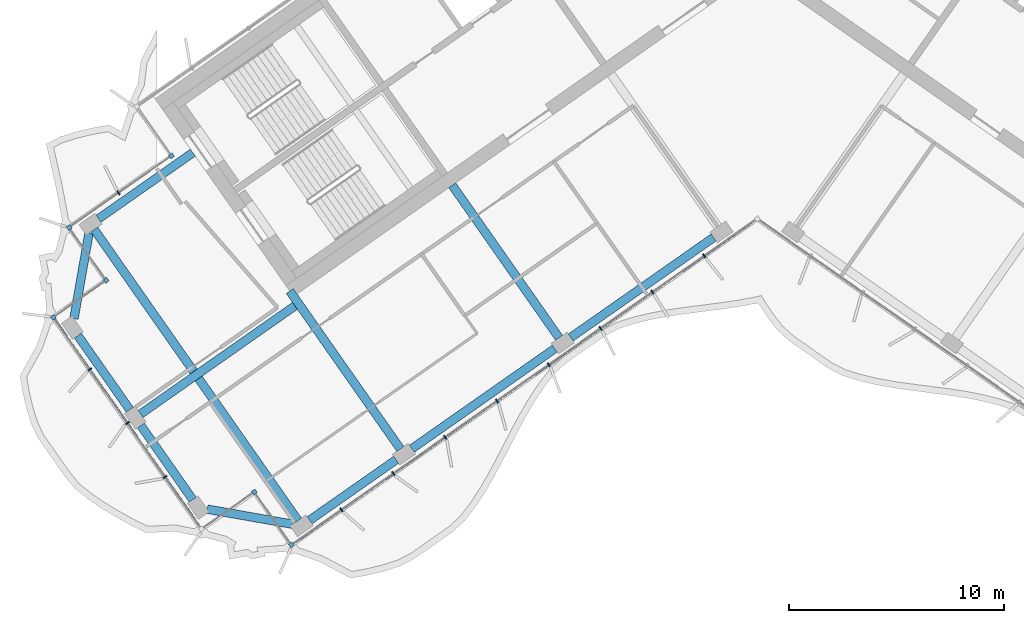
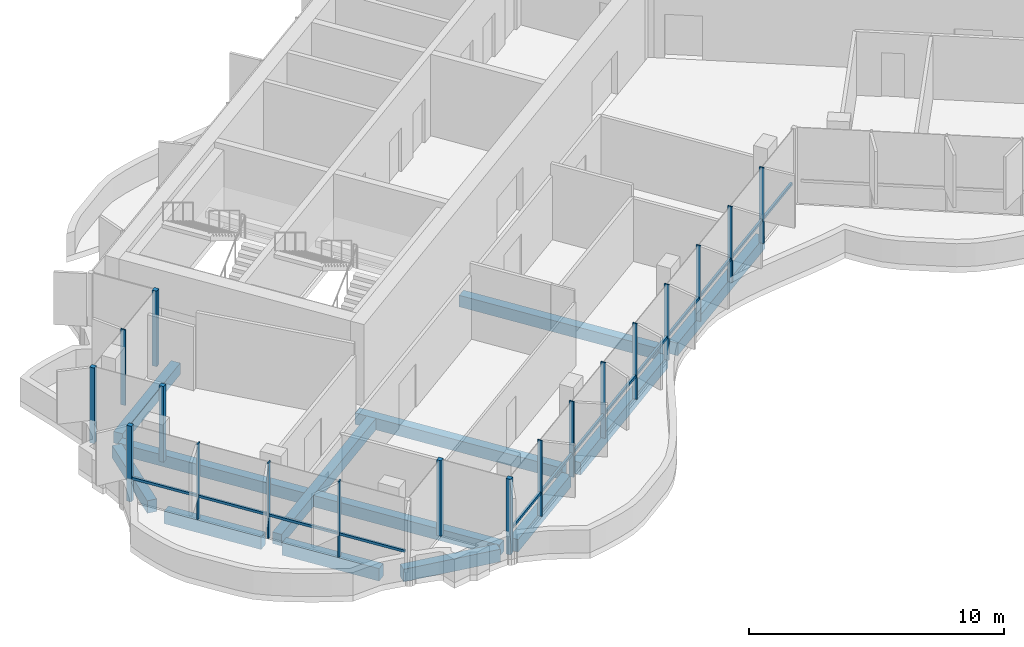
# One storey, part 2 of 18: 20 members, 12 beams, 2 elements without a shape of their own.
"""IFC4 building model written with IfcOpenShell, lengths in metres."""

from ifc_helpers import new_model, si_unit, direction, frame, origin, origin_2d, place, context, subcontext, project, spatial, rectangle, extrude, material, material_profile, profile_set, type_object, element, aggregate, save


model = new_model("IFC4")

# Units and contexts
model_context = context("Model", 3, precision=1e-05, world=origin(), true_north=direction((0.0, 1.0)))
body_context = subcontext(model_context, "Body", "Model", "MODEL_VIEW")
ifc_project = project(units=[si_unit("LENGTHUNIT", "METRE"), si_unit("AREAUNIT", "SQUARE_METRE"), si_unit("VOLUMEUNIT", "CUBIC_METRE"), si_unit("PLANEANGLEUNIT", "RADIAN"), si_unit("MASSUNIT", "GRAM", prefix="KILO")], contexts=[model_context])

# Site, building, storey
site_placement = place(None, origin())
site = spatial("IfcSite", under=ifc_project, at=site_placement, CompositionType="ELEMENT")
building_placement = place(site_placement, origin())
building = spatial("IfcBuilding", under=site, at=building_placement, Name="Tel Ilan Convention Tower", CompositionType="ELEMENT")
storey_placement = place(building_placement, frame((0.0, 0.0, 272.199951171875)))
storey = spatial("IfcBuildingStorey", under=building, at=storey_placement, Name="L64", CompositionType="ELEMENT", Elevation=272.199951171875)

# Beams
ifc_material_1 = material(Name="Concrete C40/50", Category="concrete")
ifc_material_profile_1 = material_profile(ifc_material_1, rectangle(XDim=0.39990234375, YDim=0.550048828125, at=origin_2d()), Name="RC 400x550")
ifc_profile_set_1 = profile_set([ifc_material_profile_1], Name="Concrete C40/50")
beam_type_1 = type_object("IfcBeamType", Name="Beam RC 400x550 Concrete C40/50", PredefinedType="BEAM", material=ifc_profile_set_1)
beam_1_placement = place(storey_placement, frame((-30.6005859375, -12.6982421875, -0.554931640625), z_axis=(0.819146154531, 0.573584847705, 0.0), x_axis=(-0.573584847705, 0.819146154531, 0.0)))
element("IfcBeam", 1, at=beam_1_placement, inside=storey, type_object=beam_type_1, Name="L64 beam W-W-BC-core", PredefinedType="BEAM", context=body_context, shape_type="SweptSolid", body=[
    extrude(rectangle(XDim=0.39990234375, YDim=0.550048828125, at=origin_2d()), origin(), (0.0, 0.0, 1.0), 5.349853515625),
])
beam_2_placement = place(storey_placement, frame((-9.209716796875, -18.229248046875, -0.554931640625), z_axis=(-0.573574099654, 0.819153680457, 0.0), x_axis=(-0.819153680457, -0.573574099654, 0.0)))
element("IfcBeam", 2, at=beam_2_placement, inside=storey, type_object=beam_type_1, Name="L64 beam W-W-F2-core", PredefinedType="BEAM", context=body_context, shape_type="SweptSolid", body=[
    extrude(rectangle(XDim=0.39990234375, YDim=0.550048828125, at=origin_2d()), origin(), (0.0, 0.0, 1.0), 8.64990234375),
])
beam_3_placement = place(storey_placement, frame((-16.58203125, -23.391357421875, -0.554931640625), z_axis=(-0.573584999642, 0.819146048141, 0.0), x_axis=(-0.819146048141, -0.573584999642, 0.0)))
element("IfcBeam", 3, at=beam_3_placement, inside=storey, type_object=beam_type_1, Name="L64 beam W-W-F3-core", PredefinedType="BEAM", context=body_context, shape_type="SweptSolid", body=[
    extrude(rectangle(XDim=0.39990234375, YDim=0.550048828125, at=origin_2d()), origin(), (0.0, 0.0, 1.0), 8.949951171875),
])
beam_4_placement = place(storey_placement, frame((-21.477783203125, -16.748046875, -0.554931640625), z_axis=(-0.819157197737, -0.573569076395, 0.0), x_axis=(0.573569076395, -0.819157197737, 0.0)))
element("IfcBeam", 4, at=beam_4_placement, inside=storey, type_object=beam_type_1, Name="L64 beam W-core-end", PredefinedType="BEAM", context=body_context, shape_type="SweptSolid", body=[
    extrude(rectangle(XDim=0.39990234375, YDim=0.550048828125, at=origin_2d()), origin(), (0.0, 0.0, 1.0), 8.75),
])
beam_5_placement = place(storey_placement, frame((-21.333251953125, -26.718017578125, -0.554931640625), z_axis=(-0.573574554643, 0.819153361872, 0.0), x_axis=(-0.819153361872, -0.573574554643, 0.0)))
element("IfcBeam", 5, at=beam_5_placement, inside=storey, type_object=beam_type_1, Name="L64 beam W-W-FC-W-BC", PredefinedType="BEAM", context=body_context, shape_type="SweptSolid", body=[
    extrude(rectangle(XDim=0.39990234375, YDim=0.550048828125, at=origin_2d()), origin(), (0.0, 0.0, 1.0), 16.499755859375),
])
ifc_material_2 = material(Name="Concrete C40/50", Category="concrete")
ifc_material_profile_2 = material_profile(ifc_material_2, rectangle(XDim=0.39990234375, YDim=0.60009765625, at=origin_2d()), Name="RC 400x600")
ifc_profile_set_2 = profile_set([ifc_material_profile_2], Name="Concrete C40/50")
beam_type_2 = type_object("IfcBeamType", Name="Beam RC 400x600 Concrete C40/50", PredefinedType="BEAM", material=ifc_profile_set_2)
beam_6_placement = place(storey_placement, frame((-2.033935546875, -13.57080078125, -0.579833984375), z_axis=(-0.81914553362, -0.573585734437, 0.0), x_axis=(0.573585734437, -0.81914553362, 0.0)))
element("IfcBeam", 6, at=beam_6_placement, inside=storey, type_object=beam_type_2, Name="L64 beam W-W-F1-W-F2", PredefinedType="BEAM", context=body_context, shape_type="SweptSolid", body=[
    extrude(rectangle(XDim=0.39990234375, YDim=0.60009765625, at=origin_2d()), origin(), (0.0, 0.0, 1.0), 8.099853515625),
])
beam_7_placement = place(storey_placement, frame((-9.40625, -18.73291015625, -0.579833984375), z_axis=(-0.819155449703, -0.573571572885, 0.0), x_axis=(0.573571572885, -0.819155449703, 0.0)))
element("IfcBeam", 7, at=beam_7_placement, inside=storey, type_object=beam_type_2, Name="L64 beam W-W-F2-W-F3", PredefinedType="BEAM", context=body_context, shape_type="SweptSolid", body=[
    extrude(rectangle(XDim=0.39990234375, YDim=0.60009765625, at=origin_2d()), origin(), (0.0, 0.0, 1.0), 8.10009765625),
])
beam_8_placement = place(storey_placement, frame((-16.778564453125, -23.895263671875, -0.579833984375), z_axis=(-0.819154669329, -0.573572687386, 0.0), x_axis=(0.573572687386, -0.819154669329, 0.0)))
element("IfcBeam", 8, at=beam_8_placement, inside=storey, type_object=beam_type_2, Name="L64 beam W-W-F3-W-FC", PredefinedType="BEAM", context=body_context, shape_type="SweptSolid", body=[
    extrude(rectangle(XDim=0.39990234375, YDim=0.60009765625, at=origin_2d()), origin(), (0.0, 0.0, 1.0), 4.900146484375),
])
beam_9_placement = place(storey_placement, frame((-21.578857421875, -26.89013671875, -0.579833984375), z_axis=(-0.984804894423, 0.173664388751, 0.0), x_axis=(-0.173664388751, -0.984804894423, 0.0)))
element("IfcBeam", 9, at=beam_9_placement, inside=storey, type_object=beam_type_2, Name="L64 beam W-W-FC-W-E1", PredefinedType="BEAM", context=body_context, shape_type="SweptSolid", body=[
    extrude(rectangle(XDim=0.39990234375, YDim=0.60009765625, at=origin_2d()), origin(), (0.0, 0.0, 1.0), 4.030517578125),
])
for number, where, z_axis, x_axis, name in (
    (10, (-26.22412109375, -25.748046875, -0.579833984375), (-0.573563773994, 0.819160910421, 0.0), (-0.819160910421, -0.573563773994, 0.0), "L64 beam W-W-E1-W-E2"),
    (11, (-29.1494140625, -21.5703125, -0.579833984375), (-0.573563773994, 0.819160910421, 0.0), (-0.819160910421, -0.573563773994, 0.0), "L64 beam W-W-E2-W-E3"),
):
    element("IfcBeam", number, at=place(storey_placement, frame(where, z_axis=z_axis, x_axis=x_axis)), inside=storey, type_object=beam_type_2, Name=name, PredefinedType="BEAM", context=body_context, shape_type="SweptSolid", body=[
        extrude(rectangle(XDim=0.39990234375, YDim=0.60009765625, at=origin_2d()), origin(), (0.0, 0.0, 1.0), 4.199951171875),
    ])
beam_10_placement = place(storey_placement, frame((-31.742919921875, -17.343505859375, -0.579833984375), z_axis=(0.173664388751, 0.984804894423, 0.0), x_axis=(-0.984804894423, 0.173664388751, 0.0)))
element("IfcBeam", 12, at=beam_10_placement, inside=storey, type_object=beam_type_2, Name="L64 beam W-W-E3-W-BC", PredefinedType="BEAM", context=body_context, shape_type="SweptSolid", body=[
    extrude(rectangle(XDim=0.39990234375, YDim=0.60009765625, at=origin_2d()), origin(), (0.0, 0.0, 1.0), 4.030517578125),
])

# Curtain wall, member
ifc_material_3 = material(Name="Aluminium, bronze anodised", Category="aluminium")
curtain_wall_type_1 = type_object("IfcCurtainWallType", Name="CW2 STICK CURTAIN WALL, SPANDREL PANELS", PredefinedType="NOTDEFINED", material=ifc_material_3)
curtain_wall_1_placement = place(storey_placement, origin())
curtain_wall_1 = element("IfcCurtainWall", 13, at=curtain_wall_1_placement, inside=storey, type_object=curtain_wall_type_1, Name="Curtain wall CW2-49.03", PredefinedType="NOTDEFINED")
ifc_material_4 = material(Name="Aluminium, bronze anodised", Category="aluminium")
ifc_material_profile_3 = material_profile(ifc_material_4, rectangle(XDim=0.199951171875, YDim=0.199951171875, at=origin_2d()), Name="CW CORNER MULLION 200x200")
ifc_profile_set_3 = profile_set([ifc_material_profile_3], Name="Aluminium, bronze anodised")
member_type_1 = type_object("IfcMemberType", Name="CW CORNER MULLION 200x200", PredefinedType="MULLION", material=ifc_profile_set_3)
member_1_placement = place(storey_placement, frame((-27.213623046875, -9.77734375, 0.0), z_axis=(0.0, 0.0, 1.0), x_axis=(0.573576436351, -0.819152044289, 0.0)))
member_1 = element("IfcMember", 14, at=member_1_placement, type_object=member_type_1, Name="Corner mullion", PredefinedType="MULLION", context=body_context, shape_type="SweptSolid", body=[
    extrude(rectangle(XDim=0.199951171875, YDim=0.199951171875, at=origin_2d()), origin(), (0.0, 0.0, 1.0), 3.6201171875),
])
aggregate(curtain_wall_1, [member_1])

# Curtain wall, members
ifc_material_5 = material(Name="Aluminium, bronze anodised", Category="aluminium")
curtain_wall_type_2 = type_object("IfcCurtainWallType", Name="CW5 STICK CURTAIN WALL, UPPER OFFICE LOW-IRON TINTED GLASS", PredefinedType="NOTDEFINED", material=ifc_material_5)
curtain_wall_2_placement = place(storey_placement, origin())
curtain_wall_2 = element("IfcCurtainWall", 15, at=curtain_wall_2_placement, inside=storey, type_object=curtain_wall_type_2, Name="Curtain wall CW5-49.04", PredefinedType="NOTDEFINED")
member_2_placement = place(storey_placement, frame((-31.964599609375, -13.10400390625, 0.0), z_axis=(0.0, 0.0, 1.0), x_axis=(-0.819152044289, -0.573576436351, 0.0)))
member_2 = element("IfcMember", 16, at=member_2_placement, type_object=member_type_1, Name="Corner mullion", PredefinedType="MULLION", context=body_context, shape_type="SweptSolid", body=[
    extrude(rectangle(XDim=0.199951171875, YDim=0.199951171875, at=origin_2d()), origin(), (0.0, 0.0, 1.0), 3.6201171875),
])
member_3_placement = place(storey_placement, frame((-30.243896484375, -15.5615234375, 0.0), z_axis=(0.0, 0.0, 1.0), x_axis=(0.573576436351, -0.819152044289, 0.0)))
member_3 = element("IfcMember", 17, at=member_3_placement, type_object=member_type_1, Name="Corner mullion", PredefinedType="MULLION", context=body_context, shape_type="SweptSolid", body=[
    extrude(rectangle(XDim=0.199951171875, YDim=0.199951171875, at=origin_2d()), origin(), (0.0, 0.0, 1.0), 3.6201171875),
])
member_4_placement = place(storey_placement, frame((-32.701416015625, -17.2822265625, 0.0), z_axis=(0.0, 0.0, 1.0), x_axis=(-0.819152044289, -0.573576436351, 0.0)))
member_4 = element("IfcMember", 18, at=member_4_placement, type_object=member_type_1, Name="Corner mullion", PredefinedType="MULLION", context=body_context, shape_type="SweptSolid", body=[
    extrude(rectangle(XDim=0.199951171875, YDim=0.199951171875, at=origin_2d()), origin(), (0.0, 0.0, 1.0), 3.6201171875),
])
member_5_placement = place(storey_placement, frame((-23.36083984375, -25.391357421875, 0.0), z_axis=(0.0, 0.0, 1.0), x_axis=(0.819152044289, 0.573576436351, 0.0)))
member_5 = element("IfcMember", 19, at=member_5_placement, type_object=member_type_1, Name="Corner mullion", PredefinedType="MULLION", context=body_context, shape_type="SweptSolid", body=[
    extrude(rectangle(XDim=0.199951171875, YDim=0.199951171875, at=origin_2d()), origin(), (0.0, 0.0, 1.0), 3.6201171875),
])
member_6_placement = place(storey_placement, frame((-21.64013671875, -27.8486328125, 0.0), z_axis=(0.0, 0.0, 1.0), x_axis=(0.573576436351, -0.819152044289, 0.0)))
member_6 = element("IfcMember", 20, at=member_6_placement, type_object=member_type_1, Name="Corner mullion", PredefinedType="MULLION", context=body_context, shape_type="SweptSolid", body=[
    extrude(rectangle(XDim=0.199951171875, YDim=0.199951171875, at=origin_2d()), origin(), (0.0, 0.0, 1.0), 3.6201171875),
])
ifc_material_6 = material(Name="Aluminium, bronze anodised", Category="aluminium")
ifc_material_profile_4 = material_profile(ifc_material_6, rectangle(XDim=0.06005859375, YDim=0.199951171875, at=origin_2d()), Name="CW MULLION 60x200")
ifc_profile_set_4 = profile_set([ifc_material_profile_4], Name="Aluminium, bronze anodised")
member_type_2 = type_object("IfcMemberType", Name="CW MULLION 60x200", PredefinedType="MULLION", material=ifc_profile_set_4)
member_7_placement = place(storey_placement, frame((-29.6708984375, -11.498046875, 0.0), z_axis=(0.0, 0.0, 1.0), x_axis=(-0.819152044289, -0.573576436351, 0.0)))
member_7 = element("IfcMember", 21, at=member_7_placement, type_object=member_type_2, Name="Mullion", PredefinedType="MULLION", context=body_context, shape_type="SweptSolid", body=[
    extrude(rectangle(XDim=0.06005859375, YDim=0.199951171875, at=origin_2d()), origin(), (0.0, 0.0, 1.0), 3.6201171875),
])
member_8_placement = place(storey_placement, frame((-31.00927734375, -19.69873046875, 0.0), z_axis=(0.0, 0.0, 1.0), x_axis=(0.573576436351, -0.819152044289, 0.0)))
member_8 = element("IfcMember", 22, at=member_8_placement, type_object=member_type_2, Name="Mullion", PredefinedType="MULLION", context=body_context, shape_type="SweptSolid", body=[
    extrude(rectangle(XDim=0.06005859375, YDim=0.199951171875, at=origin_2d()), origin(), (0.0, 0.0, 1.0), 3.6201171875),
])
member_9_placement = place(storey_placement, frame((-29.259765625, -22.197021484375, 0.0), z_axis=(0.0, 0.0, 1.0), x_axis=(0.573576436351, -0.819152044289, 0.0)))
member_9 = element("IfcMember", 23, at=member_9_placement, type_object=member_type_2, Name="Mullion", PredefinedType="MULLION", context=body_context, shape_type="SweptSolid", body=[
    extrude(rectangle(XDim=0.06005859375, YDim=0.199951171875, at=origin_2d()), origin(), (0.0, 0.0, 1.0), 3.6201171875),
])
member_10_placement = place(storey_placement, frame((-27.510498046875, -24.695556640625, 0.0), z_axis=(0.0, 0.0, 1.0), x_axis=(0.573576436351, -0.819152044289, 0.0)))
member_10 = element("IfcMember", 24, at=member_10_placement, type_object=member_type_2, Name="Mullion", PredefinedType="MULLION", context=body_context, shape_type="SweptSolid", body=[
    extrude(rectangle(XDim=0.06005859375, YDim=0.199951171875, at=origin_2d()), origin(), (0.0, 0.0, 1.0), 3.6201171875),
])
member_11_placement = place(storey_placement, frame((-19.31494140625, -26.220458984375, 0.0), z_axis=(0.0, 0.0, 1.0), x_axis=(0.819152044289, 0.573576436351, 0.0)))
member_11 = element("IfcMember", 25, at=member_11_placement, type_object=member_type_2, Name="Mullion", PredefinedType="MULLION", context=body_context, shape_type="SweptSolid", body=[
    extrude(rectangle(XDim=0.06005859375, YDim=0.199951171875, at=origin_2d()), origin(), (0.0, 0.0, 1.0), 3.6201171875),
])
member_12_placement = place(storey_placement, frame((-16.90771484375, -24.534912109375, 0.0), z_axis=(0.0, 0.0, 1.0), x_axis=(0.819152044289, 0.573576436351, 0.0)))
member_12 = element("IfcMember", 26, at=member_12_placement, type_object=member_type_2, Name="Mullion", PredefinedType="MULLION", context=body_context, shape_type="SweptSolid", body=[
    extrude(rectangle(XDim=0.06005859375, YDim=0.199951171875, at=origin_2d()), origin(), (0.0, 0.0, 1.0), 3.6201171875),
])
member_13_placement = place(storey_placement, frame((-14.50048828125, -22.849365234375, 0.0), z_axis=(0.0, 0.0, 1.0), x_axis=(0.819152044289, 0.573576436351, 0.0)))
member_13 = element("IfcMember", 27, at=member_13_placement, type_object=member_type_2, Name="Mullion", PredefinedType="MULLION", context=body_context, shape_type="SweptSolid", body=[
    extrude(rectangle(XDim=0.06005859375, YDim=0.199951171875, at=origin_2d()), origin(), (0.0, 0.0, 1.0), 3.6201171875),
])
member_14_placement = place(storey_placement, frame((-12.09326171875, -21.163818359375, 0.0), z_axis=(0.0, 0.0, 1.0), x_axis=(0.819152044289, 0.573576436351, 0.0)))
member_14 = element("IfcMember", 28, at=member_14_placement, type_object=member_type_2, Name="Mullion", PredefinedType="MULLION", context=body_context, shape_type="SweptSolid", body=[
    extrude(rectangle(XDim=0.06005859375, YDim=0.199951171875, at=origin_2d()), origin(), (0.0, 0.0, 1.0), 3.6201171875),
])
member_15_placement = place(storey_placement, frame((-9.68603515625, -19.478271484375, 0.0), z_axis=(0.0, 0.0, 1.0), x_axis=(0.819152044289, 0.573576436351, 0.0)))
member_15 = element("IfcMember", 29, at=member_15_placement, type_object=member_type_2, Name="Mullion", PredefinedType="MULLION", context=body_context, shape_type="SweptSolid", body=[
    extrude(rectangle(XDim=0.06005859375, YDim=0.199951171875, at=origin_2d()), origin(), (0.0, 0.0, 1.0), 3.6201171875),
])
member_16_placement = place(storey_placement, frame((-7.279052734375, -17.792724609375, 0.0), z_axis=(0.0, 0.0, 1.0), x_axis=(0.819152044289, 0.573576436351, 0.0)))
member_16 = element("IfcMember", 30, at=member_16_placement, type_object=member_type_2, Name="Mullion", PredefinedType="MULLION", context=body_context, shape_type="SweptSolid", body=[
    extrude(rectangle(XDim=0.06005859375, YDim=0.199951171875, at=origin_2d()), origin(), (0.0, 0.0, 1.0), 3.6201171875),
])
member_17_placement = place(storey_placement, frame((-4.871826171875, -16.107177734375, 0.0), z_axis=(0.0, 0.0, 1.0), x_axis=(0.819152044289, 0.573576436351, 0.0)))
member_17 = element("IfcMember", 31, at=member_17_placement, type_object=member_type_2, Name="Mullion", PredefinedType="MULLION", context=body_context, shape_type="SweptSolid", body=[
    extrude(rectangle(XDim=0.06005859375, YDim=0.199951171875, at=origin_2d()), origin(), (0.0, 0.0, 1.0), 3.6201171875),
])
member_18_placement = place(storey_placement, frame((-2.464599609375, -14.421875, 0.0), z_axis=(0.0, 0.0, 1.0), x_axis=(0.819152044289, 0.573576436351, 0.0)))
member_18 = element("IfcMember", 32, at=member_18_placement, type_object=member_type_2, Name="Mullion", PredefinedType="MULLION", context=body_context, shape_type="SweptSolid", body=[
    extrude(rectangle(XDim=0.06005859375, YDim=0.199951171875, at=origin_2d()), origin(), (0.0, 0.0, 1.0), 3.6201171875),
])
ifc_material_7 = material(Name="Aluminium, bronze anodised", Category="aluminium")
ifc_material_profile_5 = material_profile(ifc_material_7, rectangle(XDim=0.10009765625, YDim=0.1201171875, at=origin_2d()), Name="CW TRANSOM 100x120")
ifc_profile_set_5 = profile_set([ifc_material_profile_5], Name="Aluminium, bronze anodised")
member_type_3 = type_object("IfcMemberType", Name="CW TRANSOM 100x120", PredefinedType="USERDEFINED", material=ifc_profile_set_5)
member_19_placement = place(storey_placement, frame((-32.64404296875, -17.364013671875, 1.10009765625), z_axis=(0.573581755582, -0.819148319698, 0.0), x_axis=(0.819148319698, 0.573581755582, 0.0)))
member_19 = element("IfcMember", 33, at=member_19_placement, type_object=member_type_3, Name="Transom", ObjectType="TRANSOM", PredefinedType="USERDEFINED", context=body_context, shape_type="SweptSolid", body=[
    extrude(rectangle(XDim=0.10009765625, YDim=0.1201171875, at=origin_2d()), origin(), (0.0, 0.0, 1.0), 11.800048828125),
])
member_20_placement = place(storey_placement, frame((-21.558349609375, -27.791259765625, 1.10009765625), z_axis=(0.819152212587, 0.573576195996, 0.0), x_axis=(-0.573576195996, 0.819152212587, 0.0)))
member_20 = element("IfcMember", 34, at=member_20_placement, type_object=member_type_3, Name="Transom", ObjectType="TRANSOM", PredefinedType="USERDEFINED", context=body_context, shape_type="SweptSolid", body=[
    extrude(rectangle(XDim=0.10009765625, YDim=0.1201171875, at=origin_2d()), origin(), (0.0, 0.0, 1.0), 26.0478515625),
])
aggregate(curtain_wall_2, [member_7, member_2, member_3, member_4, member_8, member_9, member_10, member_19, member_5, member_6, member_11, member_12, member_13, member_14, member_15, member_16, member_17, member_18, member_20])

save(model, "model.ifc")
